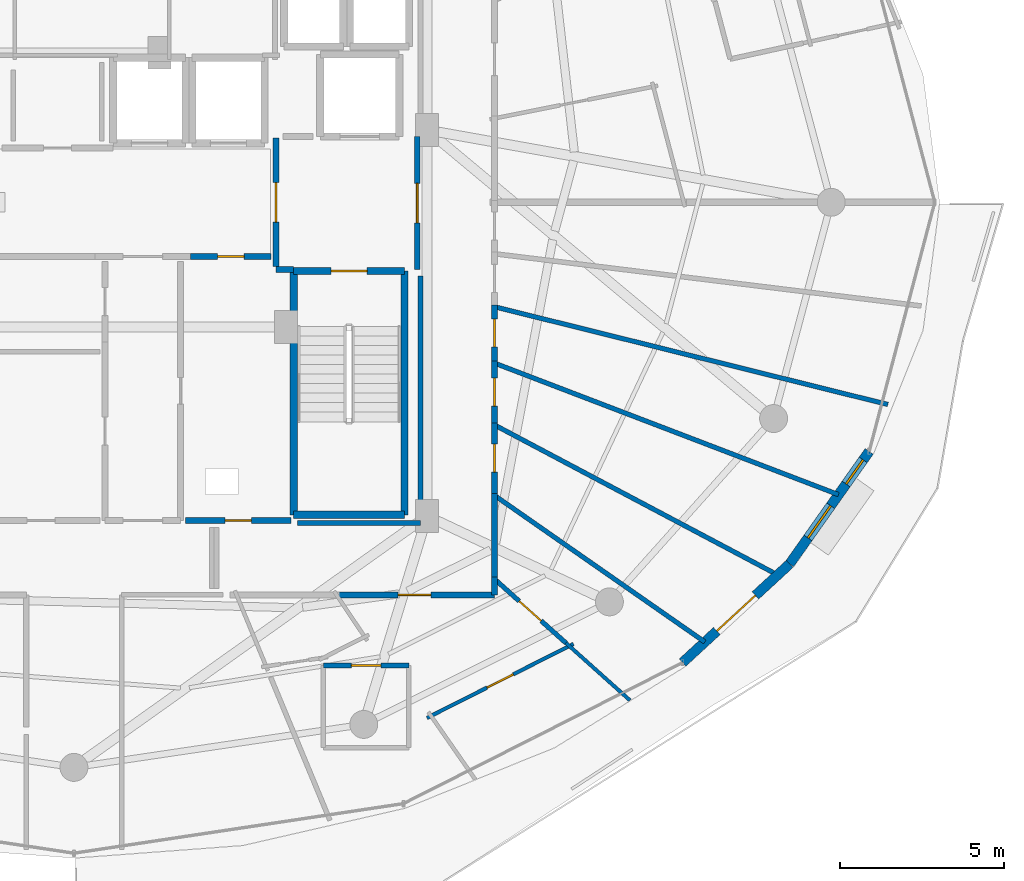
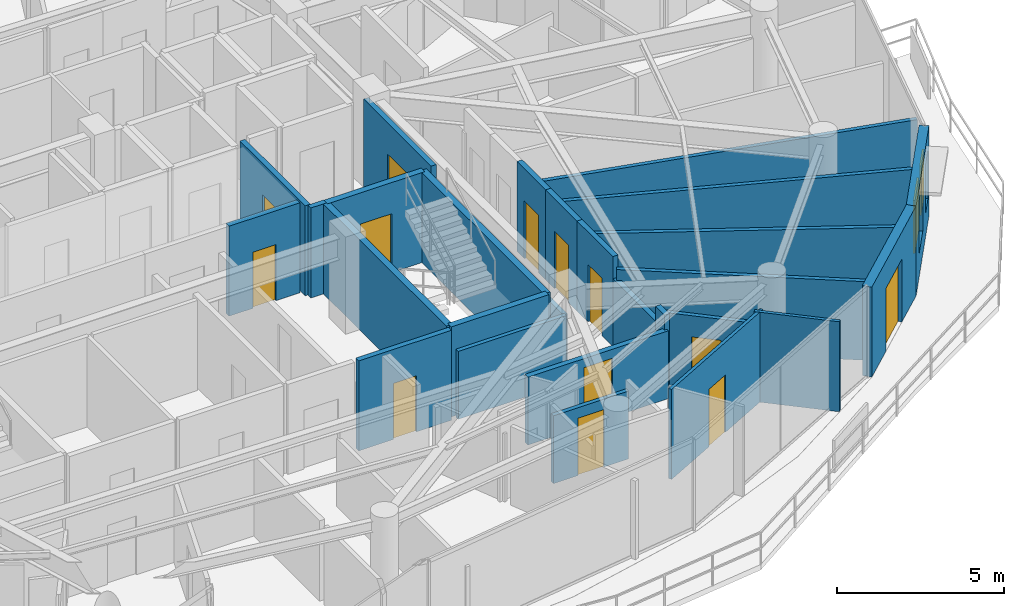
# One storey, part 23 of 29: 27 walls, 13 doors, 2 windows, 15 openings.
"""IFC4 building model written with IfcOpenShell, lengths in metres."""

from ifc_helpers import new_model, si_unit, direction, frame, frame_2d, origin, place, context, subcontext, project, spatial, rectangle, extrude, material, layer, layer_set, type_object, element, fill, save


model = new_model("IFC4")

# Units and contexts
model_context = context("Model", 3, precision=1e-05, world=origin(), true_north=direction((0.0, 1.0)))
body_context = subcontext(model_context, "Body", "Model", "MODEL_VIEW")
ifc_project = project(units=[si_unit("LENGTHUNIT", "METRE"), si_unit("AREAUNIT", "SQUARE_METRE"), si_unit("VOLUMEUNIT", "CUBIC_METRE"), si_unit("PLANEANGLEUNIT", "RADIAN"), si_unit("MASSUNIT", "GRAM", prefix="KILO")], contexts=[model_context])

# Site, building, storey
site_placement = place(None, origin())
site = spatial("IfcSite", under=ifc_project, at=site_placement, CompositionType="ELEMENT")
building_placement = place(site_placement, origin())
building = spatial("IfcBuilding", under=site, at=building_placement, Name="Vorneva Point Tower", CompositionType="ELEMENT")
storey_placement = place(building_placement, frame((0.0, 0.0, 259.10009765625)))
storey = spatial("IfcBuildingStorey", under=building, at=storey_placement, Name="L70", CompositionType="ELEMENT", Elevation=259.10009765625)

# Wall, opening, door
ifc_material_1 = material(Name="Precast concrete B50 (C40/50)", Category="concrete")
ifc_layer_1 = layer(ifc_material_1, 0.300048828125)
ifc_layer_set_1 = layer_set([ifc_layer_1], Name="Precast concrete B50 (C40/50)")
wall_type_1 = type_object("IfcWallType", Name="WL-EXT-300", PredefinedType="STANDARD", material=ifc_layer_set_1)
wall_1_placement = place(storey_placement, frame((56.526123046875, 11.9921875, 0.0), z_axis=(0.0, 0.0, 1.0), x_axis=(0.735445373611, 0.677584018727, 0.0)))
wall_1 = element("IfcWall", 1, at=wall_1_placement, inside=storey, type_object=wall_type_1, Name="L70 Pale-Metal Facade Spandrel Wall 15.1", PredefinedType="STANDARD", context=body_context, shape_type="SweptSolid", body=[
    extrude(rectangle(XDim=4.430419921875, YDim=0.300048828125, at=frame_2d((2.21533203125, 0.0))), origin(), (0.0, 0.0, 1.0), 3.289794921875),
])
opening_1_placement = place(wall_1_placement, frame((1.415283203125, 0.0, 0.0)))
opening_1 = element("IfcOpeningElement", 2, at=opening_1_placement, cuts=wall_1, Name="Opening BD-01", PredefinedType="OPENING", context=body_context, shape_type="SweptSolid", body=[
    extrude(rectangle(XDim=1.60009765625, YDim=2.300048828125, at=frame_2d((0.800048828125, 1.14990234375))), frame((0.0, 0.1650390625, 0.0), z_axis=(0.0, -1.0, 0.0), x_axis=(1.0, 0.0, 0.0)), (0.0, 0.0, 1.0), 0.329833984375),
])
ifc_material_2 = material(Name="Pale anodised aluminium", Category="aluminium")
door_type_1 = type_object("IfcDoorType", Name="DR-BAL-1600", OperationType="SLIDING_TO_LEFT", PredefinedType="DOOR", material=ifc_material_2)
door_1_placement = place(opening_1_placement, origin())
door_1 = element("IfcDoor", 3, at=door_1_placement, inside=storey, type_object=door_type_1, Name="L70 Balcony Terrace Access Door 15", OperationType="SLIDING_TO_LEFT", OverallHeight=2.300048828125, OverallWidth=1.60009765625, PredefinedType="DOOR", context=body_context, shape_type="SweptSolid", body=[
    extrude(rectangle(XDim=1.60009765625, YDim=2.300048828125, at=frame_2d((0.800048828125, 1.14990234375))), frame((0.0, 0.02490234375, 0.0), z_axis=(0.0, -1.0, 0.0), x_axis=(1.0, 0.0, 0.0)), (0.0, 0.0, 1.0), 0.050048828125),
])
fill(opening_1, door_1)

# Wall, openings, windows
wall_2_placement = place(storey_placement, frame((59.784423828125, 14.994140625, 0.0), z_axis=(0.0, 0.0, 1.0), x_axis=(0.577261247247, 0.816559521668, 0.0)))
wall_2 = element("IfcWall", 4, at=wall_2_placement, inside=storey, type_object=wall_type_1, Name="L70 Pale-Metal Facade Spandrel Wall 15.2", PredefinedType="STANDARD", context=body_context, shape_type="SweptSolid", body=[
    extrude(rectangle(XDim=4.194091796875, YDim=0.300048828125, at=frame_2d((2.09716796875, 0.0))), origin(), (0.0, 0.0, 1.0), 3.289794921875),
])
opening_2_placement = place(wall_2_placement, frame((0.966064453125, 0.0, 0.85009765625)))
opening_2 = element("IfcOpeningElement", 5, at=opening_2_placement, cuts=wall_2, Name="Opening W-04", PredefinedType="OPENING", context=body_context, shape_type="SweptSolid", body=[
    extrude(rectangle(XDim=1.199951171875, YDim=1.949951171875, at=frame_2d((0.60009765625, 0.97509765625))), frame((0.0, 0.1650390625, 0.0), z_axis=(0.0, -1.0, 0.0), x_axis=(1.0, 0.0, 0.0)), (0.0, 0.0, 1.0), 0.329833984375),
])
opening_3_placement = place(wall_2_placement, frame((2.976806640625, 0.0, 0.85009765625)))
opening_3 = element("IfcOpeningElement", 6, at=opening_3_placement, cuts=wall_2, Name="Opening W-08", PredefinedType="OPENING", context=body_context, shape_type="SweptSolid", body=[
    extrude(rectangle(XDim=0.89990234375, YDim=1.800048828125, at=frame_2d((0.449951171875, 0.89990234375))), frame((0.0, 0.1650390625, 0.0), z_axis=(0.0, -1.0, 0.0), x_axis=(1.0, 0.0, 0.0)), (0.0, 0.0, 1.0), 0.329833984375),
])
ifc_material_3 = material(Name="Double low-e laminated glass IGU", Category="glass")
window_type_1 = type_object("IfcWindowType", Name="WN-CAS-900", PartitioningType="SINGLE_PANEL", PredefinedType="WINDOW", material=ifc_material_3)
window_1_placement = place(opening_3_placement, origin())
window_1 = element("IfcWindow", 7, at=window_1_placement, inside=storey, type_object=window_type_1, Name="L70 Dwelling Vision Window 05", OverallHeight=1.800048828125, OverallWidth=0.89990234375, PartitioningType="SINGLE_PANEL", PredefinedType="WINDOW", context=body_context, shape_type="SweptSolid", body=[
    extrude(rectangle(XDim=0.89990234375, YDim=1.800048828125, at=frame_2d((0.449951171875, 0.89990234375))), frame((0.0, 0.030029296875, 0.0), z_axis=(0.0, -1.0, 0.0), x_axis=(1.0, 0.0, 0.0)), (0.0, 0.0, 1.0), 0.06005859375),
])
fill(opening_3, window_1)
window_type_2 = type_object("IfcWindowType", Name="WN-RES-1200", PartitioningType="SINGLE_PANEL", PredefinedType="WINDOW", material=ifc_material_3)
window_2_placement = place(opening_2_placement, origin())
window_2 = element("IfcWindow", 8, at=window_2_placement, inside=storey, type_object=window_type_2, Name="L70 Dwelling Vision Window 04", OverallHeight=1.949951171875, OverallWidth=1.199951171875, PartitioningType="SINGLE_PANEL", PredefinedType="WINDOW", context=body_context, shape_type="SweptSolid", body=[
    extrude(rectangle(XDim=1.199951171875, YDim=1.949951171875, at=frame_2d((0.60009765625, 0.97509765625))), frame((0.0, 0.030029296875, 0.0), z_axis=(0.0, -1.0, 0.0), x_axis=(1.0, 0.0, 0.0)), (0.0, 0.0, 1.0), 0.06005859375),
])
fill(opening_2, window_2)

# Wall, opening, door
ifc_material_4 = material(Name="Fire-rated acoustic gypsum stud partition", Category="gypsum")
ifc_layer_2 = layer(ifc_material_4, 0.110107421875)
ifc_layer_set_2 = layer_set([ifc_layer_2], Name="Fire-rated acoustic gypsum stud partition")
wall_type_2 = type_object("IfcWallType", Name="WL-PART-110", PredefinedType="PARTITIONING", material=ifc_layer_set_2)
wall_3_placement = place(storey_placement, frame((48.743896484375, 10.304931640625, 0.0), z_axis=(0.0, 0.0, 1.0), x_axis=(0.892523078089, 0.45100172403, 0.0)))
wall_3 = element("IfcWall", 9, at=wall_3_placement, inside=storey, type_object=wall_type_2, Name="L70 Interior Partition 109", PredefinedType="PARTITIONING", context=body_context, shape_type="SweptSolid", body=[
    extrude(rectangle(XDim=4.995849609375, YDim=0.110107421875, at=frame_2d((2.498046875, 0.0))), origin(), (0.0, 0.0, 1.0), 3.289794921875),
])
opening_4_placement = place(wall_3_placement, frame((2.048095703125, 0.0, 0.0)))
opening_4 = element("IfcOpeningElement", 10, at=opening_4_placement, cuts=wall_3, Name="Opening ID-01", PredefinedType="OPENING", context=body_context, shape_type="SweptSolid", body=[
    extrude(rectangle(XDim=0.89990234375, YDim=2.10009765625, at=frame_2d((0.449951171875, 1.050048828125))), frame((0.0, 0.06982421875, 0.0), z_axis=(0.0, -1.0, 0.0), x_axis=(1.0, 0.0, 0.0)), (0.0, 0.0, 1.0), 0.139892578125),
])
ifc_material_5 = material(Name="Engineered oak fire-rated door leaf", Category="wood")
door_type_2 = type_object("IfcDoorType", Name="DR-ROOM-900", OperationType="NOTDEFINED", PredefinedType="DOOR", material=ifc_material_5)
door_2_placement = place(opening_4_placement, origin())
door_2 = element("IfcDoor", 11, at=door_2_placement, inside=storey, type_object=door_type_2, Name="L70 Door Living and Dining Room L70-03 / Kitchen L70-03", OperationType="SINGLE_SWING_RIGHT", OverallHeight=2.10009765625, OverallWidth=0.89990234375, PredefinedType="DOOR", context=body_context, shape_type="SweptSolid", body=[
    extrude(rectangle(XDim=0.89990234375, YDim=2.10009765625, at=frame_2d((0.449951171875, 1.050048828125))), frame((0.0, 0.02490234375, 0.0), z_axis=(0.0, -1.0, 0.0), x_axis=(1.0, 0.0, 0.0)), (0.0, 0.0, 1.0), 0.050048828125),
])
fill(opening_4, door_2)

# Wall
wall_4_placement = place(storey_placement, frame((52.9736328125, 12.58837890625, 0.0), z_axis=(0.0, 0.0, 1.0), x_axis=(0.744980199756, -0.667086577568, 0.0)))
element("IfcWall", 12, at=wall_4_placement, inside=storey, type_object=wall_type_2, Name="L70 Interior Partition 110", PredefinedType="PARTITIONING", context=body_context, shape_type="SweptSolid", body=[
    extrude(rectangle(XDim=2.6171875, YDim=0.110107421875, at=frame_2d((1.30859375, 0.0))), origin(), (0.0, 0.0, 1.0), 3.289794921875),
])

# Wall, opening, door
ifc_layer_3 = layer(ifc_material_4, 0.139892578125)
ifc_layer_set_3 = layer_set([ifc_layer_3], Name="Fire-rated acoustic gypsum stud partition")
wall_type_3 = type_object("IfcWallType", Name="WL-PART-140", PredefinedType="PARTITIONING", material=ifc_layer_set_3)
wall_5_placement = place(storey_placement, frame((48.194091796875, 11.902099609375, 0.0), z_axis=(0.0, 0.0, 1.0), x_axis=(-1.0, 0.0, 0.0)))
wall_5 = element("IfcWall", 13, at=wall_5_placement, inside=storey, type_object=wall_type_3, Name="L70 Interior Partition 112", PredefinedType="PARTITIONING", context=body_context, shape_type="SweptSolid", body=[
    extrude(rectangle(XDim=2.60009765625, YDim=0.139892578125, at=frame_2d((1.300048828125, 0.0))), origin(), (0.0, 0.0, 1.0), 2.48193359375),
])
opening_5_placement = place(wall_5_placement, frame((0.85009765625, 0.0, 0.0)))
opening_5 = element("IfcOpeningElement", 14, at=opening_5_placement, cuts=wall_5, Name="Opening ID-01", PredefinedType="OPENING", context=body_context, shape_type="SweptSolid", body=[
    extrude(rectangle(XDim=0.89990234375, YDim=2.10009765625, at=frame_2d((0.449951171875, 1.050048828125))), frame((0.0, 0.0849609375, 0.0), z_axis=(0.0, -1.0, 0.0), x_axis=(1.0, 0.0, 0.0)), (0.0, 0.0, 1.0), 0.169677734375),
])
door_3_placement = place(opening_5_placement, origin())
door_3 = element("IfcDoor", 15, at=door_3_placement, inside=storey, type_object=door_type_2, Name="L70 Door Living and Dining Room L70-03 / Study Room L70-03", OperationType="SINGLE_SWING_LEFT", OverallHeight=2.10009765625, OverallWidth=0.89990234375, PredefinedType="DOOR", context=body_context, shape_type="SweptSolid", body=[
    extrude(rectangle(XDim=0.89990234375, YDim=2.10009765625, at=frame_2d((0.449951171875, 1.050048828125))), frame((0.0, 0.02490234375, 0.0), z_axis=(0.0, -1.0, 0.0), x_axis=(1.0, 0.0, 0.0)), (0.0, 0.0, 1.0), 0.050048828125),
])
fill(opening_5, door_3)

wall_6_placement = place(storey_placement, frame((52.9736328125, 12.58837890625, 0.0), z_axis=(0.0, 0.0, 1.0), x_axis=(-0.744943619707, 0.667127426702, 0.0)))
wall_6 = element("IfcWall", 16, at=wall_6_placement, inside=storey, type_object=wall_type_3, Name="L70 Interior Partition 116", PredefinedType="PARTITIONING", context=body_context, shape_type="SweptSolid", body=[
    extrude(rectangle(XDim=2.917724609375, YDim=0.139892578125, at=frame_2d((1.458984375, 0.0))), origin(), (0.0, 0.0, 1.0), 2.8740234375),
])
opening_6_placement = place(wall_6_placement, frame((1.009033203125, 0.0, 0.0)))
opening_6 = element("IfcOpeningElement", 17, at=opening_6_placement, cuts=wall_6, Name="Opening ID-01", PredefinedType="OPENING", context=body_context, shape_type="SweptSolid", body=[
    extrude(rectangle(XDim=0.89990234375, YDim=2.10009765625, at=frame_2d((0.449951171875, 1.050048828125))), frame((0.0, 0.0849609375, 0.0), z_axis=(0.0, -1.0, 0.0), x_axis=(1.0, 0.0, 0.0)), (0.0, 0.0, 1.0), 0.169677734375),
])
door_4_placement = place(opening_6_placement, origin())
door_4 = element("IfcDoor", 18, at=door_4_placement, inside=storey, type_object=door_type_2, Name="L70 Door Living and Dining Room L70-03 / Master Bedroom L70-03.1", OperationType="SINGLE_SWING_RIGHT", OverallHeight=2.10009765625, OverallWidth=0.89990234375, PredefinedType="DOOR", context=body_context, shape_type="SweptSolid", body=[
    extrude(rectangle(XDim=0.89990234375, YDim=2.10009765625, at=frame_2d((0.449951171875, 1.050048828125))), frame((0.0, 0.02490234375, 0.0), z_axis=(0.0, -1.0, 0.0), x_axis=(1.0, 0.0, 0.0)), (0.0, 0.0, 1.0), 0.050048828125),
])
fill(opening_6, door_4)

# Walls
wall_7_placement = place(storey_placement, frame((57.202880859375, 12.616943359375, 0.0), z_axis=(0.0, 0.0, 1.0), x_axis=(-0.820423513177, 0.571756293386, 0.0)))
element("IfcWall", 19, at=wall_7_placement, inside=storey, type_object=wall_type_3, Name="L70 Interior Partition 117", PredefinedType="PARTITIONING", context=body_context, shape_type="SweptSolid", body=[
    extrude(rectangle(XDim=7.80419921875, YDim=0.139892578125, at=frame_2d((3.902099609375, 0.0))), origin(), (0.0, 0.0, 1.0), 2.8740234375),
])
wall_8_placement = place(storey_placement, frame((59.4169921875, 14.659912109375, 0.0), z_axis=(0.0, 0.0, 1.0), x_axis=(-0.883742233358, 0.467974000325, 0.0)))
element("IfcWall", 20, at=wall_8_placement, inside=storey, type_object=wall_type_3, Name="L70 Interior Partition 118", PredefinedType="PARTITIONING", context=body_context, shape_type="SweptSolid", body=[
    extrude(rectangle(XDim=9.75048828125, YDim=0.139892578125, at=frame_2d((4.875244140625, 0.0))), origin(), (0.0, 0.0, 1.0), 2.8740234375),
])
wall_9_placement = place(storey_placement, frame((61.27099609375, 17.10205078125, 0.0), z_axis=(0.0, 0.0, 1.0), x_axis=(-0.934042646632, 0.357161496066, 0.0)))
element("IfcWall", 21, at=wall_9_placement, inside=storey, type_object=wall_type_3, Name="L70 Interior Partition 119", PredefinedType="PARTITIONING", context=body_context, shape_type="SweptSolid", body=[
    extrude(rectangle(XDim=11.21044921875, YDim=0.139892578125, at=frame_2d((5.605224609375, 0.0))), origin(), (0.0, 0.0, 1.0), 2.8740234375),
])
wall_10_placement = place(storey_placement, frame((62.77587890625, 19.845947265625, 0.0), z_axis=(0.0, 0.0, 1.0), x_axis=(-0.970519565335, 0.241022350211, 0.0)))
element("IfcWall", 22, at=wall_10_placement, inside=storey, type_object=wall_type_3, Name="L70 Interior Partition 120", PredefinedType="PARTITIONING", context=body_context, shape_type="SweptSolid", body=[
    extrude(rectangle(XDim=12.339599609375, YDim=0.139892578125, at=frame_2d((6.169921875, 0.0))), origin(), (0.0, 0.0, 1.0), 2.48193359375),
])
wall_11_placement = place(storey_placement, frame((44.804931640625, 16.239990234375, 0.0), z_axis=(0.0, 0.0, 1.0), x_axis=(1.0, 0.0, 0.0)))
element("IfcWall", 23, at=wall_11_placement, inside=storey, type_object=wall_type_3, Name="L70 Interior Closure Partition 158", PredefinedType="PARTITIONING", context=body_context, shape_type="SweptSolid", body=[
    extrude(rectangle(XDim=3.7451171875, YDim=0.139892578125, at=frame_2d((1.87255859375, 0.0))), origin(), (0.0, 0.0, 1.0), 2.48193359375),
])
wall_12_placement = place(storey_placement, frame((48.550048828125, 16.239990234375, 0.0), z_axis=(0.0, 0.0, 1.0), x_axis=(0.0, 1.0, 0.0)))
element("IfcWall", 24, at=wall_12_placement, inside=storey, type_object=wall_type_3, Name="L70 Interior Closure Partition 159", PredefinedType="PARTITIONING", context=body_context, shape_type="SweptSolid", body=[
    extrude(rectangle(XDim=7.513916015625, YDim=0.139892578125, at=frame_2d((3.7568359375, 0.0))), origin(), (0.0, 0.0, 1.0), 2.48193359375),
])

# Wall, opening, door
ifc_material_6 = material(Name="Autoclaved aerated concrete blockwork", Category="masonry")
ifc_layer_4 = layer(ifc_material_6, 0.179931640625)
ifc_layer_set_4 = layer_set([ifc_layer_4], Name="Autoclaved aerated concrete blockwork")
wall_type_4 = type_object("IfcWallType", Name="WL-PART-180", PredefinedType="PARTITIONING", material=ifc_layer_set_4)
wall_13_placement = place(storey_placement, frame((44.14990234375, 27.955078125, 0.0), z_axis=(0.0, 0.0, 1.0), x_axis=(0.0, -1.0, 0.0)))
wall_13 = element("IfcWall", 25, at=wall_13_placement, inside=storey, type_object=wall_type_4, Name="L70 Interior Partition 003", PredefinedType="PARTITIONING", context=body_context, shape_type="SweptSolid", body=[
    extrude(rectangle(XDim=3.91015625, YDim=0.179931640625, at=frame_2d((1.955078125, 0.0))), origin(), (0.0, 0.0, 1.0), 3.289794921875),
])
opening_7_placement = place(wall_13_placement, frame((1.35498046875, 0.0, 0.0)))
opening_7 = element("IfcOpeningElement", 26, at=opening_7_placement, cuts=wall_13, Name="Opening FD-02", PredefinedType="OPENING", context=body_context, shape_type="SweptSolid", body=[
    extrude(rectangle(XDim=1.199951171875, YDim=2.14990234375, at=frame_2d((0.60009765625, 1.074951171875))), frame((0.0, 0.10498046875, 0.0), z_axis=(0.0, -1.0, 0.0), x_axis=(1.0, 0.0, 0.0)), (0.0, 0.0, 1.0), 0.209716796875),
])
ifc_material_7 = material(Name="Fire-rated powder-coated steel", Category="steel")
door_type_3 = type_object("IfcDoorType", Name="DR-FFL-1200", OperationType="NOTDEFINED", PredefinedType="DOOR", material=ifc_material_7)
door_5_placement = place(opening_7_placement, origin())
door_5 = element("IfcDoor", 27, at=door_5_placement, inside=storey, type_object=door_type_3, Name="L70 Door East Firefighting Lobby / Central Lift Lobby", OperationType="SINGLE_SWING_LEFT", OverallHeight=2.14990234375, OverallWidth=1.199951171875, PredefinedType="DOOR", context=body_context, shape_type="SweptSolid", body=[
    extrude(rectangle(XDim=1.199951171875, YDim=2.14990234375, at=frame_2d((0.60009765625, 1.074951171875))), frame((0.0, 0.02490234375, 0.0), z_axis=(0.0, -1.0, 0.0), x_axis=(1.0, 0.0, 0.0)), (0.0, 0.0, 1.0), 0.050048828125),
])
fill(opening_7, door_5)

# Wall
wall_14_placement = place(storey_placement, frame((44.14990234375, 23.949951171875, 0.0), z_axis=(0.0, 0.0, 1.0), x_axis=(1.0, 0.0, 0.0)))
element("IfcWall", 28, at=wall_14_placement, inside=storey, type_object=wall_type_4, Name="L70 Interior Partition 004", PredefinedType="PARTITIONING", context=body_context, shape_type="SweptSolid", body=[
    extrude(rectangle(XDim=0.5400390625, YDim=0.179931640625, at=frame_2d((0.27001953125, 0.0))), origin(), (0.0, 0.0, 1.0), 3.289794921875),
])

# Wall, opening, door
wall_15_placement = place(storey_placement, frame((48.449951171875, 23.949951171875, 0.0), z_axis=(0.0, 0.0, 1.0), x_axis=(0.0, 1.0, 0.0)))
wall_15 = element("IfcWall", 29, at=wall_15_placement, inside=storey, type_object=wall_type_4, Name="L70 Interior Partition 005", PredefinedType="PARTITIONING", context=body_context, shape_type="SweptSolid", body=[
    extrude(rectangle(XDim=4.050048828125, YDim=0.179931640625, at=frame_2d((2.02490234375, 0.0))), origin(), (0.0, 0.0, 1.0), 3.289794921875),
])
opening_8_placement = place(wall_15_placement, frame((1.425048828125, 0.0, 0.0)))
opening_8 = element("IfcOpeningElement", 30, at=opening_8_placement, cuts=wall_15, Name="Opening FD-02", PredefinedType="OPENING", context=body_context, shape_type="SweptSolid", body=[
    extrude(rectangle(XDim=1.199951171875, YDim=2.14990234375, at=frame_2d((0.60009765625, 1.074951171875))), frame((0.0, 0.10498046875, 0.0), z_axis=(0.0, -1.0, 0.0), x_axis=(1.0, 0.0, 0.0)), (0.0, 0.0, 1.0), 0.209716796875),
])
door_6_placement = place(opening_8_placement, origin())
door_6 = element("IfcDoor", 31, at=door_6_placement, inside=storey, type_object=door_type_3, Name="L70 Door East Firefighting Lobby / L70 Circulation Corridor", OperationType="SINGLE_SWING_LEFT", OverallHeight=2.14990234375, OverallWidth=1.199951171875, PredefinedType="DOOR", context=body_context, shape_type="SweptSolid", body=[
    extrude(rectangle(XDim=1.199951171875, YDim=2.14990234375, at=frame_2d((0.60009765625, 1.074951171875))), frame((0.0, 0.02490234375, 0.0), z_axis=(0.0, -1.0, 0.0), x_axis=(1.0, 0.0, 0.0)), (0.0, 0.0, 1.0), 0.050048828125),
])
fill(opening_8, door_6)

wall_16_placement = place(storey_placement, frame((41.554931640625, 24.35009765625, 0.0), z_axis=(0.0, 0.0, 1.0), x_axis=(1.0, 0.0, 0.0)))
wall_16 = element("IfcWall", 32, at=wall_16_placement, inside=storey, type_object=wall_type_4, Name="L70 Interior Partition 011", PredefinedType="PARTITIONING", context=body_context, shape_type="SweptSolid", body=[
    extrude(rectangle(XDim=2.445068359375, YDim=0.179931640625, at=frame_2d((1.22265625, 0.0))), origin(), (0.0, 0.0, 1.0), 3.289794921875),
])
opening_9_placement = place(wall_16_placement, frame((0.822509765625, 0.0, 0.0)))
opening_9 = element("IfcOpeningElement", 33, at=opening_9_placement, cuts=wall_16, Name="Opening RD-01", PredefinedType="OPENING", context=body_context, shape_type="SweptSolid", body=[
    extrude(rectangle(XDim=0.800048828125, YDim=2.050048828125, at=frame_2d((0.39990234375, 1.02490234375))), frame((0.0, 0.10498046875, 0.0), z_axis=(0.0, -1.0, 0.0), x_axis=(1.0, 0.0, 0.0)), (0.0, 0.0, 1.0), 0.209716796875),
])
door_type_4 = type_object("IfcDoorType", Name="DR-RSR-800", OperationType="SINGLE_SWING_LEFT", PredefinedType="DOOR", material=ifc_material_7)
door_7_placement = place(opening_9_placement, origin())
door_7 = element("IfcDoor", 34, at=door_7_placement, inside=storey, type_object=door_type_4, Name="L70 Door Central Lift Lobby / Electrical Riser", OperationType="SINGLE_SWING_LEFT", OverallHeight=2.050048828125, OverallWidth=0.800048828125, PredefinedType="DOOR", context=body_context, shape_type="SweptSolid", body=[
    extrude(rectangle(XDim=0.800048828125, YDim=2.050048828125, at=frame_2d((0.39990234375, 1.02490234375))), frame((0.0, 0.02490234375, 0.0), z_axis=(0.0, -1.0, 0.0), x_axis=(1.0, 0.0, 0.0)), (0.0, 0.0, 1.0), 0.050048828125),
])
fill(opening_9, door_7)

wall_17_placement = place(storey_placement, frame((41.39990234375, 16.320068359375, 0.0), z_axis=(0.0, 0.0, 1.0), x_axis=(1.0, 0.0, 0.0)))
wall_17 = element("IfcWall", 35, at=wall_17_placement, inside=storey, type_object=wall_type_4, Name="L70 Interior Partition 019", PredefinedType="PARTITIONING", context=body_context, shape_type="SweptSolid", body=[
    extrude(rectangle(XDim=3.2001953125, YDim=0.179931640625, at=frame_2d((1.60009765625, 0.0))), origin(), (0.0, 0.0, 1.0), 3.289794921875),
])
opening_10_placement = place(wall_17_placement, frame((1.199951171875, 0.0, 0.0)))
opening_10 = element("IfcOpeningElement", 36, at=opening_10_placement, cuts=wall_17, Name="Opening RD-01", PredefinedType="OPENING", context=body_context, shape_type="SweptSolid", body=[
    extrude(rectangle(XDim=0.800048828125, YDim=2.050048828125, at=frame_2d((0.39990234375, 1.02490234375))), frame((0.0, 0.10498046875, 0.0), z_axis=(0.0, -1.0, 0.0), x_axis=(1.0, 0.0, 0.0)), (0.0, 0.0, 1.0), 0.209716796875),
])
door_8_placement = place(opening_10_placement, origin())
door_8 = element("IfcDoor", 37, at=door_8_placement, inside=storey, type_object=door_type_4, Name="L70 Door Electrical Riser / L70 Circulation Corridor", OperationType="SINGLE_SWING_LEFT", OverallHeight=2.050048828125, OverallWidth=0.800048828125, PredefinedType="DOOR", context=body_context, shape_type="SweptSolid", body=[
    extrude(rectangle(XDim=0.800048828125, YDim=2.050048828125, at=frame_2d((0.39990234375, 1.02490234375))), frame((0.0, 0.02490234375, 0.0), z_axis=(0.0, -1.0, 0.0), x_axis=(1.0, 0.0, 0.0)), (0.0, 0.0, 1.0), 0.050048828125),
])
fill(opening_10, door_8)

wall_18_placement = place(storey_placement, frame((45.93603515625, 14.050048828125, 0.0), z_axis=(0.0, 0.0, 1.0), x_axis=(1.0, 0.0, 0.0)))
wall_18 = element("IfcWall", 38, at=wall_18_placement, inside=storey, type_object=wall_type_4, Name="L70 Interior Partition 046", PredefinedType="PARTITIONING", context=body_context, shape_type="SweptSolid", body=[
    extrude(rectangle(XDim=4.864013671875, YDim=0.179931640625, at=frame_2d((2.43212890625, 0.0))), origin(), (0.0, 0.0, 1.0), 2.48193359375),
])
opening_11_placement = place(wall_18_placement, frame((1.931884765625, 0.0, 0.0)))
opening_11 = element("IfcOpeningElement", 39, at=opening_11_placement, cuts=wall_18, Name="Opening UD-01", PredefinedType="OPENING", context=body_context, shape_type="SweptSolid", body=[
    extrude(rectangle(XDim=1.0, YDim=2.14990234375, at=frame_2d((0.5, 1.074951171875))), frame((0.0, 0.10498046875, 0.0), z_axis=(0.0, -1.0, 0.0), x_axis=(1.0, 0.0, 0.0)), (0.0, 0.0, 1.0), 0.209716796875),
])
door_type_5 = type_object("IfcDoorType", Name="DR-UNIT-1000", OperationType="NOTDEFINED", PredefinedType="DOOR", material=ifc_material_5)
door_9_placement = place(opening_11_placement, origin())
door_9 = element("IfcDoor", 40, at=door_9_placement, inside=storey, type_object=door_type_5, Name="L70 Door L70 Circulation Corridor / Living and Dining Room L70-03", OperationType="SINGLE_SWING_LEFT", OverallHeight=2.14990234375, OverallWidth=1.0, PredefinedType="DOOR", context=body_context, shape_type="SweptSolid", body=[
    extrude(rectangle(XDim=1.0, YDim=2.14990234375, at=frame_2d((0.5, 1.074951171875))), frame((0.0, 0.02490234375, 0.0), z_axis=(0.0, -1.0, 0.0), x_axis=(1.0, 0.0, 0.0)), (0.0, 0.0, 1.0), 0.050048828125),
])
fill(opening_11, door_9)

# Walls
wall_19_placement = place(storey_placement, frame((50.800048828125, 14.050048828125, 0.0), z_axis=(0.0, 0.0, 1.0), x_axis=(0.0, 1.0, 0.0)))
element("IfcWall", 41, at=wall_19_placement, inside=storey, type_object=wall_type_4, Name="L70 Interior Partition 047", PredefinedType="PARTITIONING", context=body_context, shape_type="SweptSolid", body=[
    extrude(rectangle(XDim=0.544921875, YDim=0.179931640625, at=frame_2d((0.2724609375, 0.0))), origin(), (0.0, 0.0, 1.0), 3.02197265625),
])
wall_20_placement = place(storey_placement, frame((50.800048828125, 14.594970703125, 0.0), z_axis=(0.0, 0.0, 1.0), x_axis=(0.0, 1.0, 0.0)))
element("IfcWall", 42, at=wall_20_placement, inside=storey, type_object=wall_type_4, Name="L70 Interior Partition 049", PredefinedType="PARTITIONING", context=body_context, shape_type="SweptSolid", body=[
    extrude(rectangle(XDim=2.5439453125, YDim=0.179931640625, at=frame_2d((1.27197265625, 0.0))), origin(), (0.0, 0.0, 1.0), 2.48193359375),
])

# Wall, opening, door
wall_21_placement = place(storey_placement, frame((50.800048828125, 17.138916015625, 0.0), z_axis=(0.0, 0.0, 1.0), x_axis=(0.0, 1.0, 0.0)))
wall_21 = element("IfcWall", 43, at=wall_21_placement, inside=storey, type_object=wall_type_4, Name="L70 Interior Partition 050", PredefinedType="PARTITIONING", context=body_context, shape_type="SweptSolid", body=[
    extrude(rectangle(XDim=2.14404296875, YDim=0.179931640625, at=frame_2d((1.072021484375, 0.0))), origin(), (0.0, 0.0, 1.0), 3.289794921875),
])
opening_12_placement = place(wall_21_placement, frame((0.64697265625, 0.0, 0.0)))
opening_12 = element("IfcOpeningElement", 44, at=opening_12_placement, cuts=wall_21, Name="Opening ID-02", PredefinedType="OPENING", context=body_context, shape_type="SweptSolid", body=[
    extrude(rectangle(XDim=0.85009765625, YDim=2.10009765625, at=frame_2d((0.425048828125, 1.050048828125))), frame((0.0, 0.10498046875, 0.0), z_axis=(0.0, -1.0, 0.0), x_axis=(1.0, 0.0, 0.0)), (0.0, 0.0, 1.0), 0.209716796875),
])
door_type_6 = type_object("IfcDoorType", Name="DR-BATH-850", OperationType="NOTDEFINED", PredefinedType="DOOR", material=ifc_material_5)
door_10_placement = place(opening_12_placement, origin())
door_10 = element("IfcDoor", 45, at=door_10_placement, inside=storey, type_object=door_type_6, Name="L70 Access Door L70 Circulation Corridor", OperationType="SINGLE_SWING_LEFT", OverallHeight=2.10009765625, OverallWidth=0.85009765625, PredefinedType="DOOR", context=body_context, shape_type="SweptSolid", body=[
    extrude(rectangle(XDim=0.85009765625, YDim=2.10009765625, at=frame_2d((0.425048828125, 1.050048828125))), frame((0.0, 0.02490234375, 0.0), z_axis=(0.0, -1.0, 0.0), x_axis=(1.0, 0.0, 0.0)), (0.0, 0.0, 1.0), 0.050048828125),
])
fill(opening_12, door_10)

wall_22_placement = place(storey_placement, frame((50.800048828125, 19.282958984375, 0.0), z_axis=(0.0, 0.0, 1.0), x_axis=(0.0, 1.0, 0.0)))
wall_22 = element("IfcWall", 46, at=wall_22_placement, inside=storey, type_object=wall_type_4, Name="L70 Interior Partition 051", PredefinedType="PARTITIONING", context=body_context, shape_type="SweptSolid", body=[
    extrude(rectangle(XDim=1.883056640625, YDim=0.179931640625, at=frame_2d((0.94140625, 0.0))), origin(), (0.0, 0.0, 1.0), 3.289794921875),
])
opening_13_placement = place(wall_22_placement, frame((0.5166015625, 0.0, 0.0)))
opening_13 = element("IfcOpeningElement", 47, at=opening_13_placement, cuts=wall_22, Name="Opening ID-02", PredefinedType="OPENING", context=body_context, shape_type="SweptSolid", body=[
    extrude(rectangle(XDim=0.85009765625, YDim=2.10009765625, at=frame_2d((0.425048828125, 1.050048828125))), frame((0.0, 0.10498046875, 0.0), z_axis=(0.0, -1.0, 0.0), x_axis=(1.0, 0.0, 0.0)), (0.0, 0.0, 1.0), 0.209716796875),
])
door_11_placement = place(opening_13_placement, origin())
door_11 = element("IfcDoor", 48, at=door_11_placement, inside=storey, type_object=door_type_6, Name="L70 Access Door L70 Circulation Corridor", OperationType="SINGLE_SWING_RIGHT", OverallHeight=2.10009765625, OverallWidth=0.85009765625, PredefinedType="DOOR", context=body_context, shape_type="SweptSolid", body=[
    extrude(rectangle(XDim=0.85009765625, YDim=2.10009765625, at=frame_2d((0.425048828125, 1.050048828125))), frame((0.0, 0.02490234375, 0.0), z_axis=(0.0, -1.0, 0.0), x_axis=(1.0, 0.0, 0.0)), (0.0, 0.0, 1.0), 0.050048828125),
])
fill(opening_13, door_11)

wall_23_placement = place(storey_placement, frame((50.800048828125, 21.166015625, 0.0), z_axis=(0.0, 0.0, 1.0), x_axis=(0.0, 1.0, 0.0)))
wall_23 = element("IfcWall", 49, at=wall_23_placement, inside=storey, type_object=wall_type_4, Name="L70 Interior Partition 052", PredefinedType="PARTITIONING", context=body_context, shape_type="SweptSolid", body=[
    extrude(rectangle(XDim=1.7138671875, YDim=0.179931640625, at=frame_2d((0.85693359375, 0.0))), origin(), (0.0, 0.0, 1.0), 3.289794921875),
])
opening_14_placement = place(wall_23_placement, frame((0.431884765625, 0.0, 0.0)))
opening_14 = element("IfcOpeningElement", 50, at=opening_14_placement, cuts=wall_23, Name="Opening ID-02", PredefinedType="OPENING", context=body_context, shape_type="SweptSolid", body=[
    extrude(rectangle(XDim=0.85009765625, YDim=2.10009765625, at=frame_2d((0.425048828125, 1.050048828125))), frame((0.0, 0.10498046875, 0.0), z_axis=(0.0, -1.0, 0.0), x_axis=(1.0, 0.0, 0.0)), (0.0, 0.0, 1.0), 0.209716796875),
])
door_12_placement = place(opening_14_placement, origin())
door_12 = element("IfcDoor", 51, at=door_12_placement, inside=storey, type_object=door_type_6, Name="L70 Access Door L70 Circulation Corridor", OperationType="SINGLE_SWING_LEFT", OverallHeight=2.10009765625, OverallWidth=0.85009765625, PredefinedType="DOOR", context=body_context, shape_type="SweptSolid", body=[
    extrude(rectangle(XDim=0.85009765625, YDim=2.10009765625, at=frame_2d((0.425048828125, 1.050048828125))), frame((0.0, 0.02490234375, 0.0), z_axis=(0.0, -1.0, 0.0), x_axis=(1.0, 0.0, 0.0)), (0.0, 0.0, 1.0), 0.050048828125),
])
fill(opening_14, door_12)

ifc_material_8 = material(Name="Concrete B50 (C40/50)", Category="concrete")
ifc_layer_5 = layer(ifc_material_8, 0.219970703125)
ifc_layer_set_5 = layer_set([ifc_layer_5], Name="Concrete B50 (C40/50)")
wall_type_5 = type_object("IfcWallType", Name="WL-SHFT-220", PredefinedType="SOLIDWALL", material=ifc_layer_set_5)
wall_24_placement = place(storey_placement, frame((44.68994140625, 23.909912109375, 0.0), z_axis=(0.0, 0.0, 1.0), x_axis=(1.0, 0.0, 0.0)))
wall_24 = element("IfcWall", 52, at=wall_24_placement, inside=storey, type_object=wall_type_5, Name="L70 Exit Stair ST2 Shaft Wall near", PredefinedType="SOLIDWALL", context=body_context, shape_type="SweptSolid", body=[
    extrude(rectangle(XDim=3.3701171875, YDim=0.219970703125, at=frame_2d((1.68505859375, 0.0))), origin(), (0.0, 0.0, 1.0), 3.289794921875),
])
opening_15_placement = place(wall_24_placement, frame((1.135009765625, 0.0, 0.0)))
opening_15 = element("IfcOpeningElement", 53, at=opening_15_placement, cuts=wall_24, Name="Opening FD-01", PredefinedType="OPENING", context=body_context, shape_type="SweptSolid", body=[
    extrude(rectangle(XDim=1.10009765625, YDim=2.14990234375, at=frame_2d((0.550048828125, 1.074951171875))), frame((0.0, 0.125, 0.0), z_axis=(0.0, -1.0, 0.0), x_axis=(1.0, 0.0, 0.0)), (0.0, 0.0, 1.0), 0.249755859375),
])
door_type_7 = type_object("IfcDoorType", Name="DR-STAIR-1100", OperationType="NOTDEFINED", PredefinedType="DOOR", material=ifc_material_7)
door_13_placement = place(opening_15_placement, origin())
door_13 = element("IfcDoor", 54, at=door_13_placement, inside=storey, type_object=door_type_7, Name="L70 Exit Stair ST2 Fire Door", OperationType="SINGLE_SWING_LEFT", OverallHeight=2.14990234375, OverallWidth=1.10009765625, PredefinedType="DOOR", context=body_context, shape_type="SweptSolid", body=[
    extrude(rectangle(XDim=1.10009765625, YDim=2.14990234375, at=frame_2d((0.550048828125, 1.074951171875))), frame((0.0, 0.02490234375, 0.0), z_axis=(0.0, -1.0, 0.0), x_axis=(1.0, 0.0, 0.0)), (0.0, 0.0, 1.0), 0.050048828125),
])
fill(opening_15, door_13)

# Walls
wall_25_placement = place(storey_placement, frame((48.06005859375, 23.909912109375, 0.0), z_axis=(0.0, 0.0, 1.0), x_axis=(0.0, -1.0, 0.0)))
element("IfcWall", 55, at=wall_25_placement, inside=storey, type_object=wall_type_5, Name="L70 Exit Stair ST2 Shaft Wall right", PredefinedType="SOLIDWALL", context=body_context, shape_type="SweptSolid", body=[
    extrude(rectangle(XDim=7.419921875, YDim=0.219970703125, at=frame_2d((3.7099609375, 0.0))), origin(), (0.0, 0.0, 1.0), 3.289794921875),
])
wall_26_placement = place(storey_placement, frame((48.06005859375, 16.489990234375, 0.0), z_axis=(0.0, 0.0, 1.0), x_axis=(-1.0, 0.0, 0.0)))
element("IfcWall", 56, at=wall_26_placement, inside=storey, type_object=wall_type_5, Name="L70 Exit Stair ST2 Shaft Wall far", PredefinedType="SOLIDWALL", context=body_context, shape_type="SweptSolid", body=[
    extrude(rectangle(XDim=3.3701171875, YDim=0.219970703125, at=frame_2d((1.68505859375, 0.0))), origin(), (0.0, 0.0, 1.0), 3.289794921875),
])
wall_27_placement = place(storey_placement, frame((44.68994140625, 16.489990234375, 0.0), z_axis=(0.0, 0.0, 1.0), x_axis=(0.0, 1.0, 0.0)))
element("IfcWall", 57, at=wall_27_placement, inside=storey, type_object=wall_type_5, Name="L70 Exit Stair ST2 Shaft Wall left", PredefinedType="SOLIDWALL", context=body_context, shape_type="SweptSolid", body=[
    extrude(rectangle(XDim=7.419921875, YDim=0.219970703125, at=frame_2d((3.7099609375, 0.0))), origin(), (0.0, 0.0, 1.0), 3.289794921875),
])

save(model, "model.ifc")
